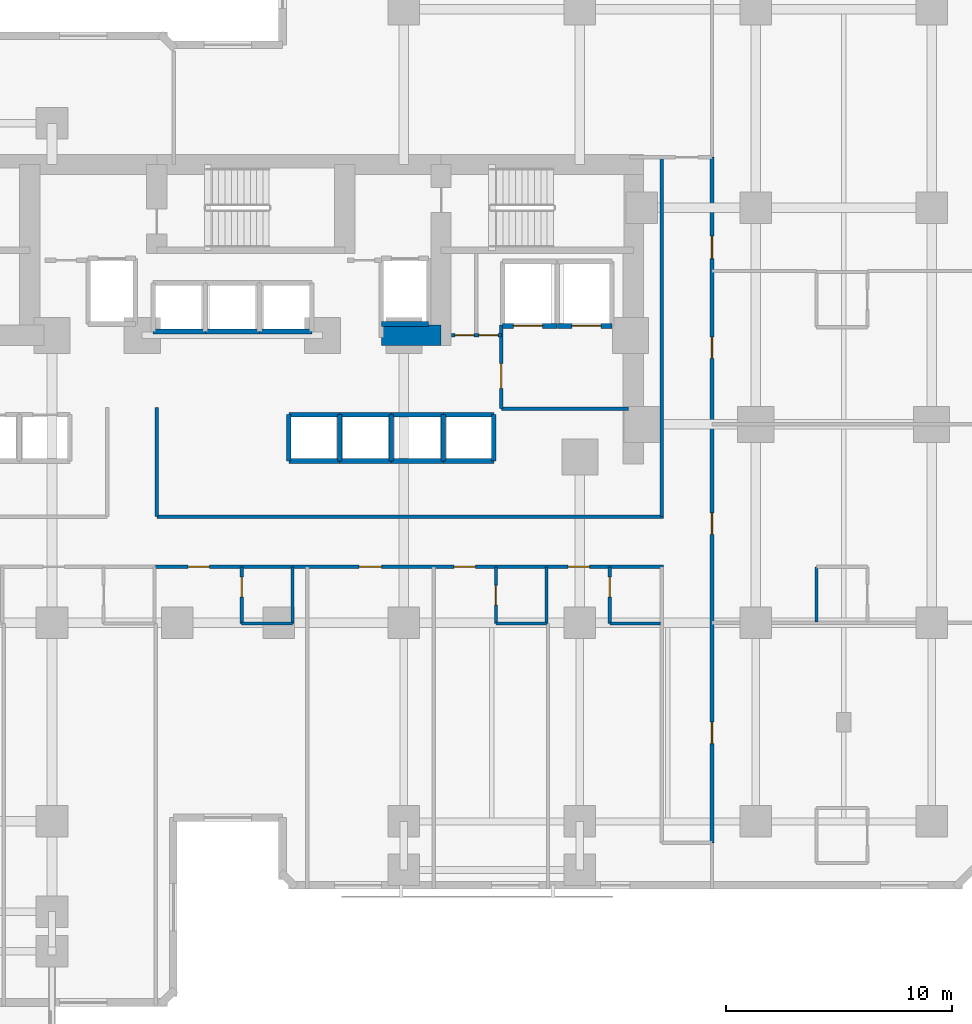
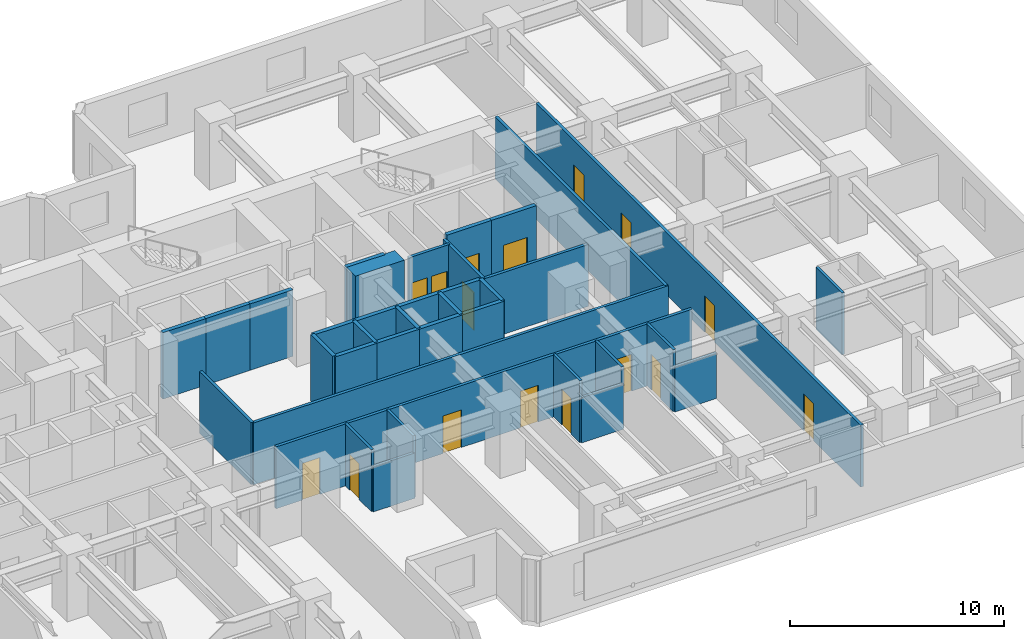
# One storey, part 7 of 12: 37 walls, 16 doors, 16 openings.
"""IFC4 building model written with IfcOpenShell, lengths in metres."""

from ifc_helpers import new_model, si_unit, direction, frame, frame_2d, origin, place, context, subcontext, project, spatial, rectangle, extrude, material, layer, layer_set, type_object, element, fill, save


model = new_model("IFC4")

# Units and contexts
model_context = context("Model", 3, precision=1e-05, world=origin(), true_north=direction((0.0, 1.0)))
body_context = subcontext(model_context, "Body", "Model", "MODEL_VIEW")
ifc_project = project(units=[si_unit("LENGTHUNIT", "METRE"), si_unit("AREAUNIT", "SQUARE_METRE"), si_unit("VOLUMEUNIT", "CUBIC_METRE"), si_unit("PLANEANGLEUNIT", "RADIAN"), si_unit("MASSUNIT", "GRAM", prefix="KILO")], contexts=[model_context])

# Site, building, storey
site_placement = place(None, origin())
site = spatial("IfcSite", under=ifc_project, at=site_placement, CompositionType="ELEMENT")
building_placement = place(site_placement, origin())
building = spatial("IfcBuilding", under=site, at=building_placement, Name="Kestravale Grand Hotel", CompositionType="ELEMENT")
storey_placement = place(building_placement, frame((0.0, 0.0, 41.199951171875)))
storey = spatial("IfcBuildingStorey", under=building, at=storey_placement, Name="L09", CompositionType="ELEMENT", Elevation=41.199951171875)

# Wall
ifc_material_1 = material(Name="Concrete f'c 70 MPa", Category="concrete")
ifc_layer_1 = layer(ifc_material_1, 0.89990234375)
ifc_layer_set_1 = layer_set([ifc_layer_1], Name="EW-CORE-900")
wall_type_1 = type_object("IfcWallType", Name="EW-CORE-900", PredefinedType="SHEAR", material=ifc_layer_set_1)
wall_1_placement = place(storey_placement, frame((45.81005859375, 32.75, 0.0), z_axis=(0.0, 0.0, 1.0), x_axis=(1.0, 0.0, 0.0)))
element("IfcWall", 1, at=wall_1_placement, inside=storey, type_object=wall_type_1, Name="L09 core shear wall S2", PredefinedType="SHEAR", context=body_context, shape_type="SweptSolid", body=[
    extrude(rectangle(XDim=2.639892578125, YDim=0.89990234375, at=frame_2d((1.31982421875, 0.0))), origin(), (0.0, 0.0, 1.0), 3.800048828125),
])

# Wall, opening, door
ifc_material_2 = material(Name="Acoustic fire-rated gypsum board partition", Category="other")
ifc_layer_2 = layer(ifc_material_2, 0.159912109375)
ifc_layer_set_2 = layer_set([ifc_layer_2], Name="IW-CORR-160")
wall_type_2 = type_object("IfcWallType", Name="IW-CORR-160", PredefinedType="PARTITIONING", material=ifc_layer_set_2)
wall_2_placement = place(storey_placement, frame((51.1201171875, 29.5, 0.0), z_axis=(0.0, 0.0, 1.0), x_axis=(0.0, 1.0, 0.0)))
wall_2 = element("IfcWall", 2, at=wall_2_placement, inside=storey, type_object=wall_type_2, Name="W-L09-SVCLOB-W", PredefinedType="PARTITIONING", context=body_context, shape_type="SweptSolid", body=[
    extrude(rectangle(XDim=3.699951171875, YDim=0.159912109375, at=frame_2d((1.85009765625, 0.0))), origin(), (0.0, 0.0, 1.0), 3.5400390625),
])
opening_1_placement = place(wall_2_placement, frame((0.89990234375, 0.0, 0.0)))
opening_1 = element("IfcOpeningElement", 3, at=opening_1_placement, cuts=wall_2, Name="Opening D-CORR-1100", PredefinedType="OPENING", context=body_context, shape_type="SweptSolid", body=[
    extrude(rectangle(XDim=1.10009765625, YDim=2.14990234375, at=frame_2d((0.550048828125, 1.074951171875))), frame((0.0, 0.08984375, 0.0), z_axis=(0.0, -1.0, 0.0), x_axis=(1.0, 0.0, 0.0)), (0.0, 0.0, 1.0), 0.179931640625),
])
ifc_material_3 = material(Name="Single-leaf service vestibule fire door", Category="steel")
door_type_1 = type_object("IfcDoorType", Name="D-CORR-1100", OperationType="NOTDEFINED", PredefinedType="DOOR", material=ifc_material_3)
door_1_placement = place(opening_1_placement, origin())
door_1 = element("IfcDoor", 4, at=door_1_placement, inside=storey, type_object=door_type_1, Name="L09 service lift lobby door", OperationType="SINGLE_SWING_LEFT", OverallHeight=2.14990234375, OverallWidth=1.10009765625, PredefinedType="DOOR", context=body_context, shape_type="SweptSolid", body=[
    extrude(rectangle(XDim=1.10009765625, YDim=2.14990234375, at=frame_2d((0.550048828125, 1.074951171875))), frame((0.0, 0.02490234375, 0.0), z_axis=(0.0, -1.0, 0.0), x_axis=(1.0, 0.0, 0.0)), (0.0, 0.0, 1.0), 0.050048828125),
])
fill(opening_1, door_1)

# Wall
wall_3_placement = place(storey_placement, frame((51.1201171875, 29.5, 0.0), z_axis=(0.0, 0.0, 1.0), x_axis=(1.0, 0.0, 0.0)))
element("IfcWall", 5, at=wall_3_placement, inside=storey, type_object=wall_type_2, Name="L09 service lift lobby wall", PredefinedType="PARTITIONING", context=body_context, shape_type="SweptSolid", body=[
    extrude(rectangle(XDim=5.6298828125, YDim=0.159912109375, at=frame_2d((2.81494140625, 0.0))), origin(), (0.0, 0.0, 1.0), 3.5400390625),
])

# Wall, openings, doors
wall_4_placement = place(storey_placement, frame((48.919921875, 32.75, 0.0), z_axis=(0.0, 0.0, 1.0), x_axis=(1.0, 0.0, 0.0)))
wall_4 = element("IfcWall", 6, at=wall_4_placement, inside=storey, type_object=wall_type_2, Name="W-L09-CES", PredefinedType="PARTITIONING", context=body_context, shape_type="SweptSolid", body=[
    extrude(rectangle(XDim=2.2001953125, YDim=0.159912109375, at=frame_2d((1.10009765625, 0.0))), origin(), (0.0, 0.0, 1.0), 3.5400390625),
])
opening_2_placement = place(wall_4_placement, frame((0.139892578125, 0.0, 0.0)))
opening_2 = element("IfcOpeningElement", 7, at=opening_2_placement, cuts=wall_4, Name="Opening D-SH-860", PredefinedType="OPENING", context=body_context, shape_type="SweptSolid", body=[
    extrude(rectangle(XDim=0.860107421875, YDim=2.050048828125, at=frame_2d((0.43017578125, 1.02490234375))), frame((0.0, 0.08984375, 0.0), z_axis=(0.0, -1.0, 0.0), x_axis=(1.0, 0.0, 0.0)), (0.0, 0.0, 1.0), 0.179931640625),
])
opening_3_placement = place(wall_4_placement, frame((1.199951171875, 0.0, 0.0)))
opening_3 = element("IfcOpeningElement", 8, at=opening_3_placement, cuts=wall_4, Name="Opening D-SH-860", PredefinedType="OPENING", context=body_context, shape_type="SweptSolid", body=[
    extrude(rectangle(XDim=0.860107421875, YDim=2.050048828125, at=frame_2d((0.43017578125, 1.02490234375))), frame((0.0, 0.08984375, 0.0), z_axis=(0.0, -1.0, 0.0), x_axis=(1.0, 0.0, 0.0)), (0.0, 0.0, 1.0), 0.179931640625),
])
ifc_material_4 = material(Name="Galvanised 90-minute riser fire door", Category="steel")
door_type_2 = type_object("IfcDoorType", Name="D-SH-860", OperationType="NOTDEFINED", PredefinedType="DOOR", material=ifc_material_4)
door_2_placement = place(opening_2_placement, origin())
door_2 = element("IfcDoor", 9, at=door_2_placement, inside=storey, type_object=door_type_2, Name="L09 CSTO1 door", OperationType="SINGLE_SWING_LEFT", OverallHeight=2.050048828125, OverallWidth=0.860107421875, PredefinedType="DOOR", context=body_context, shape_type="SweptSolid", body=[
    extrude(rectangle(XDim=0.860107421875, YDim=2.050048828125, at=frame_2d((0.43017578125, 1.02490234375))), frame((0.0, 0.02490234375, 0.0), z_axis=(0.0, -1.0, 0.0), x_axis=(1.0, 0.0, 0.0)), (0.0, 0.0, 1.0), 0.050048828125),
])
fill(opening_2, door_2)
door_3_placement = place(opening_3_placement, origin())
door_3 = element("IfcDoor", 10, at=door_3_placement, inside=storey, type_object=door_type_2, Name="L09 CSTO2 door", OperationType="SINGLE_SWING_RIGHT", OverallHeight=2.050048828125, OverallWidth=0.860107421875, PredefinedType="DOOR", context=body_context, shape_type="SweptSolid", body=[
    extrude(rectangle(XDim=0.860107421875, YDim=2.050048828125, at=frame_2d((0.43017578125, 1.02490234375))), frame((0.0, 0.02490234375, 0.0), z_axis=(0.0, -1.0, 0.0), x_axis=(1.0, 0.0, 0.0)), (0.0, 0.0, 1.0), 0.050048828125),
])
fill(opening_3, door_3)

# Walls
wall_5_placement = place(storey_placement, frame((35.85009765625, 24.7099609375, 0.0), z_axis=(0.0, 0.0, 1.0), x_axis=(1.0, 0.0, 0.0)))
element("IfcWall", 11, at=wall_5_placement, inside=storey, type_object=wall_type_2, Name="W-L09-CE-N", PredefinedType="PARTITIONING", context=body_context, shape_type="SweptSolid", body=[
    extrude(rectangle(XDim=22.449951171875, YDim=0.159912109375, at=frame_2d((11.22509765625, 0.0))), origin(), (0.0, 0.0, 1.0), 3.5400390625),
])
wall_6_placement = place(storey_placement, frame((35.85009765625, 24.7099609375, 0.0), z_axis=(0.0, 0.0, 1.0), x_axis=(0.0, 1.0, 0.0)))
element("IfcWall", 12, at=wall_6_placement, inside=storey, type_object=wall_type_2, Name="W-L09-TRUNK-E", PredefinedType="PARTITIONING", context=body_context, shape_type="SweptSolid", body=[
    extrude(rectangle(XDim=4.840087890625, YDim=0.159912109375, at=frame_2d((2.419921875, 0.0))), origin(), (0.0, 0.0, 1.0), 3.5400390625),
])

# Wall, openings, doors
wall_7_placement = place(storey_placement, frame((35.800048828125, 22.489990234375, 0.0), z_axis=(0.0, 0.0, 1.0), x_axis=(1.0, 0.0, 0.0)))
wall_7 = element("IfcWall", 13, at=wall_7_placement, inside=storey, type_object=wall_type_2, Name="W-L09-CE-S", PredefinedType="PARTITIONING", context=body_context, shape_type="SweptSolid", body=[
    extrude(rectangle(XDim=22.5, YDim=0.159912109375, at=frame_2d((11.25, 0.0))), origin(), (0.0, 0.0, 1.0), 3.5400390625),
])
opening_4_placement = place(wall_7_placement, frame((1.429931640625, 0.0, 0.0)))
opening_4 = element("IfcOpeningElement", 14, at=opening_4_placement, cuts=wall_7, Name="Opening D-GUEST-950", PredefinedType="OPENING", context=body_context, shape_type="SweptSolid", body=[
    extrude(rectangle(XDim=0.949951171875, YDim=2.10009765625, at=frame_2d((0.47509765625, 1.050048828125))), frame((0.0, 0.08984375, 0.0), z_axis=(0.0, -1.0, 0.0), x_axis=(1.0, 0.0, 0.0)), (0.0, 0.0, 1.0), 0.179931640625),
])
opening_5_placement = place(wall_7_placement, frame((9.014892578125, 0.0, 0.0)))
opening_5 = element("IfcOpeningElement", 15, at=opening_5_placement, cuts=wall_7, Name="Opening D-GUEST-1000", PredefinedType="OPENING", context=body_context, shape_type="SweptSolid", body=[
    extrude(rectangle(XDim=1.0, YDim=2.14990234375, at=frame_2d((0.5, 1.074951171875))), frame((0.0, 0.08984375, 0.0), z_axis=(0.0, -1.0, 0.0), x_axis=(1.0, 0.0, 0.0)), (0.0, 0.0, 1.0), 0.179931640625),
])
opening_6_placement = place(wall_7_placement, frame((13.22509765625, 0.0, 0.0)))
opening_6 = element("IfcOpeningElement", 16, at=opening_6_placement, cuts=wall_7, Name="Opening D-GUEST-950", PredefinedType="OPENING", context=body_context, shape_type="SweptSolid", body=[
    extrude(rectangle(XDim=0.949951171875, YDim=2.10009765625, at=frame_2d((0.47509765625, 1.050048828125))), frame((0.0, 0.08984375, 0.0), z_axis=(0.0, -1.0, 0.0), x_axis=(1.0, 0.0, 0.0)), (0.0, 0.0, 1.0), 0.179931640625),
])
opening_7_placement = place(wall_7_placement, frame((18.284912109375, 0.0, 0.0)))
opening_7 = element("IfcOpeningElement", 17, at=opening_7_placement, cuts=wall_7, Name="Opening D-GUEST-950", PredefinedType="OPENING", context=body_context, shape_type="SweptSolid", body=[
    extrude(rectangle(XDim=0.949951171875, YDim=2.10009765625, at=frame_2d((0.47509765625, 1.050048828125))), frame((0.0, 0.08984375, 0.0), z_axis=(0.0, -1.0, 0.0), x_axis=(1.0, 0.0, 0.0)), (0.0, 0.0, 1.0), 0.179931640625),
])
ifc_material_5 = material(Name="Accessible walnut veneer hotel entrance fire door", Category="wood")
door_type_3 = type_object("IfcDoorType", Name="D-GUEST-1000", OperationType="NOTDEFINED", PredefinedType="DOOR", material=ifc_material_5)
door_4_placement = place(opening_5_placement, origin())
door_4 = element("IfcDoor", 18, at=door_4_placement, inside=storey, type_object=door_type_3, Name="D-L09-AME", OperationType="SINGLE_SWING_RIGHT", OverallHeight=2.14990234375, OverallWidth=1.0, PredefinedType="DOOR", context=body_context, shape_type="SweptSolid", body=[
    extrude(rectangle(XDim=1.0, YDim=2.14990234375, at=frame_2d((0.5, 1.074951171875))), frame((0.0, 0.02490234375, 0.0), z_axis=(0.0, -1.0, 0.0), x_axis=(1.0, 0.0, 0.0)), (0.0, 0.0, 1.0), 0.050048828125),
])
fill(opening_5, door_4)
ifc_material_6 = material(Name="Walnut veneer hotel guestroom entrance fire door", Category="wood")
door_type_4 = type_object("IfcDoorType", Name="D-GUEST-950", OperationType="NOTDEFINED", PredefinedType="DOOR", material=ifc_material_6)
door_5_placement = place(opening_4_placement, origin())
door_5 = element("IfcDoor", 19, at=door_5_placement, inside=storey, type_object=door_type_4, Name="D-L09-U03-ENT", OperationType="SINGLE_SWING_LEFT", OverallHeight=2.10009765625, OverallWidth=0.949951171875, PredefinedType="DOOR", context=body_context, shape_type="SweptSolid", body=[
    extrude(rectangle(XDim=0.949951171875, YDim=2.10009765625, at=frame_2d((0.47509765625, 1.050048828125))), frame((0.0, 0.02490234375, 0.0), z_axis=(0.0, -1.0, 0.0), x_axis=(1.0, 0.0, 0.0)), (0.0, 0.0, 1.0), 0.050048828125),
])
fill(opening_4, door_5)
door_6_placement = place(opening_6_placement, origin())
door_6 = element("IfcDoor", 20, at=door_6_placement, inside=storey, type_object=door_type_4, Name="D-L09-U04-ENT", OperationType="SINGLE_SWING_RIGHT", OverallHeight=2.10009765625, OverallWidth=0.949951171875, PredefinedType="DOOR", context=body_context, shape_type="SweptSolid", body=[
    extrude(rectangle(XDim=0.949951171875, YDim=2.10009765625, at=frame_2d((0.47509765625, 1.050048828125))), frame((0.0, 0.02490234375, 0.0), z_axis=(0.0, -1.0, 0.0), x_axis=(1.0, 0.0, 0.0)), (0.0, 0.0, 1.0), 0.050048828125),
])
fill(opening_6, door_6)
door_7_placement = place(opening_7_placement, origin())
door_7 = element("IfcDoor", 21, at=door_7_placement, inside=storey, type_object=door_type_4, Name="D-L09-U05-ENT", OperationType="SINGLE_SWING_RIGHT", OverallHeight=2.10009765625, OverallWidth=0.949951171875, PredefinedType="DOOR", context=body_context, shape_type="SweptSolid", body=[
    extrude(rectangle(XDim=0.949951171875, YDim=2.10009765625, at=frame_2d((0.47509765625, 1.050048828125))), frame((0.0, 0.02490234375, 0.0), z_axis=(0.0, -1.0, 0.0), x_axis=(1.0, 0.0, 0.0)), (0.0, 0.0, 1.0), 0.050048828125),
])
fill(opening_7, door_7)

wall_8_placement = place(storey_placement, frame((60.4599609375, 10.25, 0.0), z_axis=(0.0, 0.0, 1.0), x_axis=(0.0, 1.0, 0.0)))
wall_8 = element("IfcWall", 22, at=wall_8_placement, inside=storey, type_object=wall_type_2, Name="W-L09-SE-E", PredefinedType="PARTITIONING", context=body_context, shape_type="SweptSolid", body=[
    extrude(rectangle(XDim=30.39990234375, YDim=0.159912109375, at=frame_2d((15.199951171875, 0.0))), origin(), (0.0, 0.0, 1.0), 3.5400390625),
])
opening_8_placement = place(wall_8_placement, frame((4.39990234375, 0.0, 0.0)))
opening_8 = element("IfcOpeningElement", 23, at=opening_8_placement, cuts=wall_8, Name="Opening D-GUEST-950", PredefinedType="OPENING", context=body_context, shape_type="SweptSolid", body=[
    extrude(rectangle(XDim=0.949951171875, YDim=2.10009765625, at=frame_2d((0.47509765625, 1.050048828125))), frame((0.0, 0.08984375, 0.0), z_axis=(0.0, -1.0, 0.0), x_axis=(1.0, 0.0, 0.0)), (0.0, 0.0, 1.0), 0.179931640625),
])
opening_9_placement = place(wall_8_placement, frame((13.675048828125, 0.0, 0.0)))
opening_9 = element("IfcOpeningElement", 24, at=opening_9_placement, cuts=wall_8, Name="Opening D-GUEST-950", PredefinedType="OPENING", context=body_context, shape_type="SweptSolid", body=[
    extrude(rectangle(XDim=0.949951171875, YDim=2.10009765625, at=frame_2d((0.47509765625, 1.050048828125))), frame((0.0, 0.08984375, 0.0), z_axis=(0.0, -1.0, 0.0), x_axis=(1.0, 0.0, 0.0)), (0.0, 0.0, 1.0), 0.179931640625),
])
opening_10_placement = place(wall_8_placement, frame((21.47509765625, 0.0, 0.0)))
opening_10 = element("IfcOpeningElement", 25, at=opening_10_placement, cuts=wall_8, Name="Opening D-GUEST-950", PredefinedType="OPENING", context=body_context, shape_type="SweptSolid", body=[
    extrude(rectangle(XDim=0.949951171875, YDim=2.10009765625, at=frame_2d((0.47509765625, 1.050048828125))), frame((0.0, 0.08984375, 0.0), z_axis=(0.0, -1.0, 0.0), x_axis=(1.0, 0.0, 0.0)), (0.0, 0.0, 1.0), 0.179931640625),
])
opening_11_placement = place(wall_8_placement, frame((25.89990234375, 0.0, 0.0)))
opening_11 = element("IfcOpeningElement", 26, at=opening_11_placement, cuts=wall_8, Name="Opening D-GUEST-1000", PredefinedType="OPENING", context=body_context, shape_type="SweptSolid", body=[
    extrude(rectangle(XDim=1.0, YDim=2.14990234375, at=frame_2d((0.5, 1.074951171875))), frame((0.0, 0.08984375, 0.0), z_axis=(0.0, -1.0, 0.0), x_axis=(1.0, 0.0, 0.0)), (0.0, 0.0, 1.0), 0.179931640625),
])
door_8_placement = place(opening_11_placement, origin())
door_8 = element("IfcDoor", 27, at=door_8_placement, inside=storey, type_object=door_type_3, Name="D-L09-AMEW", OperationType="SINGLE_SWING_RIGHT", OverallHeight=2.14990234375, OverallWidth=1.0, PredefinedType="DOOR", context=body_context, shape_type="SweptSolid", body=[
    extrude(rectangle(XDim=1.0, YDim=2.14990234375, at=frame_2d((0.5, 1.074951171875))), frame((0.0, 0.02490234375, 0.0), z_axis=(0.0, -1.0, 0.0), x_axis=(1.0, 0.0, 0.0)), (0.0, 0.0, 1.0), 0.050048828125),
])
fill(opening_11, door_8)
door_9_placement = place(opening_8_placement, origin())
door_9 = element("IfcDoor", 28, at=door_9_placement, inside=storey, type_object=door_type_4, Name="D-L09-U10-ENT", OperationType="SINGLE_SWING_LEFT", OverallHeight=2.10009765625, OverallWidth=0.949951171875, PredefinedType="DOOR", context=body_context, shape_type="SweptSolid", body=[
    extrude(rectangle(XDim=0.949951171875, YDim=2.10009765625, at=frame_2d((0.47509765625, 1.050048828125))), frame((0.0, 0.02490234375, 0.0), z_axis=(0.0, -1.0, 0.0), x_axis=(1.0, 0.0, 0.0)), (0.0, 0.0, 1.0), 0.050048828125),
])
fill(opening_8, door_9)
door_10_placement = place(opening_9_placement, origin())
door_10 = element("IfcDoor", 29, at=door_10_placement, inside=storey, type_object=door_type_4, Name="D-L09-U11-ENT", OperationType="SINGLE_SWING_LEFT", OverallHeight=2.10009765625, OverallWidth=0.949951171875, PredefinedType="DOOR", context=body_context, shape_type="SweptSolid", body=[
    extrude(rectangle(XDim=0.949951171875, YDim=2.10009765625, at=frame_2d((0.47509765625, 1.050048828125))), frame((0.0, 0.02490234375, 0.0), z_axis=(0.0, -1.0, 0.0), x_axis=(1.0, 0.0, 0.0)), (0.0, 0.0, 1.0), 0.050048828125),
])
fill(opening_9, door_10)
door_11_placement = place(opening_10_placement, origin())
door_11 = element("IfcDoor", 30, at=door_11_placement, inside=storey, type_object=door_type_4, Name="D-L09-U12-ENT", OperationType="SINGLE_SWING_LEFT", OverallHeight=2.10009765625, OverallWidth=0.949951171875, PredefinedType="DOOR", context=body_context, shape_type="SweptSolid", body=[
    extrude(rectangle(XDim=0.949951171875, YDim=2.10009765625, at=frame_2d((0.47509765625, 1.050048828125))), frame((0.0, 0.02490234375, 0.0), z_axis=(0.0, -1.0, 0.0), x_axis=(1.0, 0.0, 0.0)), (0.0, 0.0, 1.0), 0.050048828125),
])
fill(opening_10, door_11)

# Wall
wall_9_placement = place(storey_placement, frame((58.239990234375, 24.7099609375, 0.0), z_axis=(0.0, 0.0, 1.0), x_axis=(0.0, 1.0, 0.0)))
element("IfcWall", 31, at=wall_9_placement, inside=storey, type_object=wall_type_2, Name="W-L09-SE-WU", PredefinedType="PARTITIONING", context=body_context, shape_type="SweptSolid", body=[
    extrude(rectangle(XDim=15.93994140625, YDim=0.159912109375, at=frame_2d((7.969970703125, 0.0))), origin(), (0.0, 0.0, 1.0), 3.5400390625),
])

# Wall, opening, door
ifc_material_7 = material(Name="Moisture-resistant tile-backer plumbing chase wall", Category="other")
ifc_layer_3 = layer(ifc_material_7, 0.139892578125)
ifc_layer_set_3 = layer_set([ifc_layer_3], Name="IW-PLB-140")
wall_type_3 = type_object("IfcWallType", Name="IW-PLB-140", PredefinedType="PLUMBINGWALL", material=ifc_layer_set_3)
wall_10_placement = place(storey_placement, frame((39.610107421875, 19.97998046875, 0.0), z_axis=(0.0, 0.0, 1.0), x_axis=(0.0, 1.0, 0.0)))
wall_10 = element("IfcWall", 32, at=wall_10_placement, inside=storey, type_object=wall_type_3, Name="W-L09-U03-BW", PredefinedType="PLUMBINGWALL", context=body_context, shape_type="SweptSolid", body=[
    extrude(rectangle(XDim=2.489990234375, YDim=0.139892578125, at=frame_2d((1.2451171875, 0.0))), origin(), (0.0, 0.0, 1.0), 3.5400390625),
])
opening_12_placement = place(wall_10_placement, frame((1.169921875, 0.0, 0.0)))
opening_12 = element("IfcOpeningElement", 33, at=opening_12_placement, cuts=wall_10, Name="Opening D-BATH-880", PredefinedType="OPENING", context=body_context, shape_type="SweptSolid", body=[
    extrude(rectangle(XDim=0.8798828125, YDim=2.050048828125, at=frame_2d((0.43994140625, 1.02490234375))), frame((0.0, 0.079833984375, 0.0), z_axis=(0.0, -1.0, 0.0), x_axis=(1.0, 0.0, 0.0)), (0.0, 0.0, 1.0), 0.159912109375),
])
ifc_material_8 = material(Name="Moisture-sealed walnut en-suite bathroom door", Category="wood")
door_type_5 = type_object("IfcDoorType", Name="D-BATH-880", OperationType="NOTDEFINED", PredefinedType="DOOR", material=ifc_material_8)
door_12_placement = place(opening_12_placement, origin())
door_12 = element("IfcDoor", 34, at=door_12_placement, inside=storey, type_object=door_type_5, Name="D-L09-U03-BATH", OperationType="SINGLE_SWING_RIGHT", OverallHeight=2.050048828125, OverallWidth=0.8798828125, PredefinedType="DOOR", context=body_context, shape_type="SweptSolid", body=[
    extrude(rectangle(XDim=0.8798828125, YDim=2.050048828125, at=frame_2d((0.43994140625, 1.02490234375))), frame((0.0, 0.02490234375, 0.0), z_axis=(0.0, -1.0, 0.0), x_axis=(1.0, 0.0, 0.0)), (0.0, 0.0, 1.0), 0.050048828125),
])
fill(opening_12, door_12)

# Walls
wall_11_placement = place(storey_placement, frame((41.860107421875, 19.97998046875, 0.0), z_axis=(0.0, 0.0, 1.0), x_axis=(0.0, 1.0, 0.0)))
element("IfcWall", 35, at=wall_11_placement, inside=storey, type_object=wall_type_3, Name="W-L09-U03-BE", PredefinedType="PLUMBINGWALL", context=body_context, shape_type="SweptSolid", body=[
    extrude(rectangle(XDim=2.489990234375, YDim=0.139892578125, at=frame_2d((1.2451171875, 0.0))), origin(), (0.0, 0.0, 1.0), 3.5400390625),
])
wall_12_placement = place(storey_placement, frame((39.610107421875, 19.97998046875, 0.0), z_axis=(0.0, 0.0, 1.0), x_axis=(1.0, 0.0, 0.0)))
element("IfcWall", 36, at=wall_12_placement, inside=storey, type_object=wall_type_3, Name="W-L09-U03-BS", PredefinedType="PLUMBINGWALL", context=body_context, shape_type="SweptSolid", body=[
    extrude(rectangle(XDim=2.25, YDim=0.139892578125, at=frame_2d((1.125, 0.0))), origin(), (0.0, 0.0, 1.0), 2.593017578125),
])

# Wall, opening, door
wall_13_placement = place(storey_placement, frame((50.8798828125, 19.97998046875, 0.0), z_axis=(0.0, 0.0, 1.0), x_axis=(0.0, 1.0, 0.0)))
wall_13 = element("IfcWall", 37, at=wall_13_placement, inside=storey, type_object=wall_type_3, Name="W-L09-U04-BW", PredefinedType="PLUMBINGWALL", context=body_context, shape_type="SweptSolid", body=[
    extrude(rectangle(XDim=2.489990234375, YDim=0.139892578125, at=frame_2d((1.2451171875, 0.0))), origin(), (0.0, 0.0, 1.0), 3.5400390625),
])
opening_13_placement = place(wall_13_placement, frame((0.804931640625, 0.0, 0.0)))
opening_13 = element("IfcOpeningElement", 38, at=opening_13_placement, cuts=wall_13, Name="Opening D-BATH-880", PredefinedType="OPENING", context=body_context, shape_type="SweptSolid", body=[
    extrude(rectangle(XDim=0.8798828125, YDim=2.050048828125, at=frame_2d((0.43994140625, 1.02490234375))), frame((0.0, 0.079833984375, 0.0), z_axis=(0.0, -1.0, 0.0), x_axis=(1.0, 0.0, 0.0)), (0.0, 0.0, 1.0), 0.159912109375),
])
door_13_placement = place(opening_13_placement, origin())
door_13 = element("IfcDoor", 39, at=door_13_placement, inside=storey, type_object=door_type_5, Name="D-L09-U04-BATH", OperationType="SINGLE_SWING_LEFT", OverallHeight=2.050048828125, OverallWidth=0.8798828125, PredefinedType="DOOR", context=body_context, shape_type="SweptSolid", body=[
    extrude(rectangle(XDim=0.8798828125, YDim=2.050048828125, at=frame_2d((0.43994140625, 1.02490234375))), frame((0.0, 0.02490234375, 0.0), z_axis=(0.0, -1.0, 0.0), x_axis=(1.0, 0.0, 0.0)), (0.0, 0.0, 1.0), 0.050048828125),
])
fill(opening_13, door_13)

# Walls
wall_14_placement = place(storey_placement, frame((53.1298828125, 19.97998046875, 0.0), z_axis=(0.0, 0.0, 1.0), x_axis=(0.0, 1.0, 0.0)))
element("IfcWall", 40, at=wall_14_placement, inside=storey, type_object=wall_type_3, Name="W-L09-U04-BE", PredefinedType="PLUMBINGWALL", context=body_context, shape_type="SweptSolid", body=[
    extrude(rectangle(XDim=2.489990234375, YDim=0.139892578125, at=frame_2d((1.2451171875, 0.0))), origin(), (0.0, 0.0, 1.0), 3.5400390625),
])
wall_15_placement = place(storey_placement, frame((50.8798828125, 19.97998046875, 0.0), z_axis=(0.0, 0.0, 1.0), x_axis=(1.0, 0.0, 0.0)))
element("IfcWall", 41, at=wall_15_placement, inside=storey, type_object=wall_type_3, Name="W-L09-U04-BS", PredefinedType="PLUMBINGWALL", context=body_context, shape_type="SweptSolid", body=[
    extrude(rectangle(XDim=2.25, YDim=0.139892578125, at=frame_2d((1.125, 0.0))), origin(), (0.0, 0.0, 1.0), 2.593017578125),
])

# Wall, opening, door
wall_16_placement = place(storey_placement, frame((55.929931640625, 19.97998046875, 0.0), z_axis=(0.0, 0.0, 1.0), x_axis=(0.0, 1.0, 0.0)))
wall_16 = element("IfcWall", 42, at=wall_16_placement, inside=storey, type_object=wall_type_3, Name="W-L09-U05-BW", PredefinedType="PLUMBINGWALL", context=body_context, shape_type="SweptSolid", body=[
    extrude(rectangle(XDim=2.489990234375, YDim=0.139892578125, at=frame_2d((1.2451171875, 0.0))), origin(), (0.0, 0.0, 1.0), 3.5400390625),
])
opening_14_placement = place(wall_16_placement, frame((1.169921875, 0.0, 0.0)))
opening_14 = element("IfcOpeningElement", 43, at=opening_14_placement, cuts=wall_16, Name="Opening D-BATH-880", PredefinedType="OPENING", context=body_context, shape_type="SweptSolid", body=[
    extrude(rectangle(XDim=0.8798828125, YDim=2.050048828125, at=frame_2d((0.43994140625, 1.02490234375))), frame((0.0, 0.079833984375, 0.0), z_axis=(0.0, -1.0, 0.0), x_axis=(1.0, 0.0, 0.0)), (0.0, 0.0, 1.0), 0.159912109375),
])
door_14_placement = place(opening_14_placement, origin())
door_14 = element("IfcDoor", 44, at=door_14_placement, inside=storey, type_object=door_type_5, Name="D-L09-U05-BATH", OperationType="SINGLE_SWING_LEFT", OverallHeight=2.050048828125, OverallWidth=0.8798828125, PredefinedType="DOOR", context=body_context, shape_type="SweptSolid", body=[
    extrude(rectangle(XDim=0.8798828125, YDim=2.050048828125, at=frame_2d((0.43994140625, 1.02490234375))), frame((0.0, 0.02490234375, 0.0), z_axis=(0.0, -1.0, 0.0), x_axis=(1.0, 0.0, 0.0)), (0.0, 0.0, 1.0), 0.050048828125),
])
fill(opening_14, door_14)

# Walls
wall_17_placement = place(storey_placement, frame((55.929931640625, 19.97998046875, 0.0), z_axis=(0.0, 0.0, 1.0), x_axis=(1.0, 0.0, 0.0)))
element("IfcWall", 45, at=wall_17_placement, inside=storey, type_object=wall_type_3, Name="W-L09-U05-BS", PredefinedType="PLUMBINGWALL", context=body_context, shape_type="SweptSolid", body=[
    extrude(rectangle(XDim=2.25, YDim=0.139892578125, at=frame_2d((1.125, 0.0))), origin(), (0.0, 0.0, 1.0), 2.593017578125),
])
wall_18_placement = place(storey_placement, frame((65.10009765625, 20.0400390625, 0.0), z_axis=(0.0, 0.0, 1.0), x_axis=(0.0, 1.0, 0.0)))
element("IfcWall", 46, at=wall_18_placement, inside=storey, type_object=wall_type_3, Name="W-L09-U11-BW", PredefinedType="PLUMBINGWALL", context=body_context, shape_type="SweptSolid", body=[
    extrude(rectangle(XDim=2.449951171875, YDim=0.139892578125, at=frame_2d((1.22509765625, 0.0))), origin(), (0.0, 0.0, 1.0), 3.5400390625),
])
ifc_material_9 = material(Name="Concrete f'c 45 MPa", Category="concrete")
ifc_layer_4 = layer(ifc_material_9, 0.199951171875)
ifc_layer_set_4 = layer_set([ifc_layer_4], Name="IW-SHAFT-200")
wall_type_4 = type_object("IfcWallType", Name="IW-SHAFT-200", PredefinedType="SHEAR", material=ifc_layer_set_4)
for number, where, z_axis, x_axis, name in (
    (47, (41.705078125, 27.169921875, 0.0), (0.0, 0.0, 1.0), (0.0, 1.0, 0.0), "L09 PL-M1 west shaft wall"),
    (48, (43.949951171875, 27.169921875, 0.0), (0.0, 0.0, 1.0), (0.0, 1.0, 0.0), "L09 PL-M2 west shaft wall"),
    (49, (46.25, 27.169921875, 0.0), (0.0, 0.0, 1.0), (0.0, 1.0, 0.0), "L09 PL-M3 west shaft wall"),
    (50, (48.550048828125, 27.169921875, 0.0), (0.0, 0.0, 1.0), (0.0, 1.0, 0.0), "L09 PL-M4 west shaft wall"),
    (51, (50.794921875, 27.169921875, 0.0), (0.0, 0.0, 1.0), (0.0, 1.0, 0.0), "L09 PL-M4 east shaft wall"),
):
    element("IfcWall", number, at=place(storey_placement, frame(where, z_axis=z_axis, x_axis=x_axis)), inside=storey, type_object=wall_type_4, Name=name, PredefinedType="SHEAR", context=body_context, shape_type="SweptSolid", body=[
        extrude(rectangle(XDim=2.06005859375, YDim=0.199951171875, at=frame_2d((1.030029296875, 0.0))), origin(), (0.0, 0.0, 1.0), 3.800048828125),
    ])
ifc_material_10 = material(Name="Concrete f'c 45 MPa", Category="concrete")
ifc_layer_5 = layer(ifc_material_10, 0.219970703125)
ifc_layer_set_5 = layer_set([ifc_layer_5], Name="IW-SHAFT-220")
wall_type_5 = type_object("IfcWallType", Name="IW-SHAFT-220", PredefinedType="SHEAR", material=ifc_layer_set_5)
for number, where, z_axis, x_axis, name in (
    (52, (41.705078125, 29.22998046875, 0.0), (0.0, 0.0, 1.0), (1.0, 0.0, 0.0), "L09 PL-M1 north shaft wall"),
    (53, (41.705078125, 27.169921875, 0.0), (0.0, 0.0, 1.0), (1.0, 0.0, 0.0), "L09 PL-M1 south shaft wall"),
):
    element("IfcWall", number, at=place(storey_placement, frame(where, z_axis=z_axis, x_axis=x_axis)), inside=storey, type_object=wall_type_5, Name=name, PredefinedType="SHEAR", context=body_context, shape_type="SweptSolid", body=[
        extrude(rectangle(XDim=2.244873046875, YDim=0.219970703125, at=frame_2d((1.12255859375, 0.0))), origin(), (0.0, 0.0, 1.0), 3.800048828125),
    ])
for number, where, z_axis, x_axis, name in (
    (54, (43.949951171875, 29.22998046875, 0.0), (0.0, 0.0, 1.0), (1.0, 0.0, 0.0), "L09 PL-M2 north shaft wall"),
    (55, (43.949951171875, 27.169921875, 0.0), (0.0, 0.0, 1.0), (1.0, 0.0, 0.0), "L09 PL-M2 south shaft wall"),
    (56, (46.25, 29.22998046875, 0.0), (0.0, 0.0, 1.0), (1.0, 0.0, 0.0), "L09 PL-M3 north shaft wall"),
    (57, (46.25, 27.169921875, 0.0), (0.0, 0.0, 1.0), (1.0, 0.0, 0.0), "L09 PL-M3 south shaft wall"),
):
    element("IfcWall", number, at=place(storey_placement, frame(where, z_axis=z_axis, x_axis=x_axis)), inside=storey, type_object=wall_type_5, Name=name, PredefinedType="SHEAR", context=body_context, shape_type="SweptSolid", body=[
        extrude(rectangle(XDim=2.300048828125, YDim=0.219970703125, at=frame_2d((1.14990234375, 0.0))), origin(), (0.0, 0.0, 1.0), 3.800048828125),
    ])
for number, where, z_axis, x_axis, name in (
    (58, (48.550048828125, 29.22998046875, 0.0), (0.0, 0.0, 1.0), (1.0, 0.0, 0.0), "L09 PL-M4 north shaft wall"),
    (59, (48.550048828125, 27.169921875, 0.0), (0.0, 0.0, 1.0), (1.0, 0.0, 0.0), "L09 PL-M4 south shaft wall"),
):
    element("IfcWall", number, at=place(storey_placement, frame(where, z_axis=z_axis, x_axis=x_axis)), inside=storey, type_object=wall_type_5, Name=name, PredefinedType="SHEAR", context=body_context, shape_type="SweptSolid", body=[
        extrude(rectangle(XDim=2.244873046875, YDim=0.219970703125, at=frame_2d((1.12255859375, 0.0))), origin(), (0.0, 0.0, 1.0), 3.800048828125),
    ])
wall_19_placement = place(storey_placement, frame((35.679931640625, 32.919921875, 0.0), z_axis=(0.0, 0.0, 1.0), x_axis=(1.0, 0.0, 0.0)))
element("IfcWall", 60, at=wall_19_placement, inside=storey, type_object=wall_type_5, Name="L09 PL-X1 south shaft wall", PredefinedType="SHEAR", context=body_context, shape_type="SweptSolid", body=[
    extrude(rectangle(XDim=2.320068359375, YDim=0.219970703125, at=frame_2d((1.16015625, 0.0))), origin(), (0.0, 0.0, 1.0), 3.800048828125),
])
wall_20_placement = place(storey_placement, frame((38.0, 32.919921875, 0.0), z_axis=(0.0, 0.0, 1.0), x_axis=(1.0, 0.0, 0.0)))
element("IfcWall", 61, at=wall_20_placement, inside=storey, type_object=wall_type_5, Name="L09 PL-X2 south shaft wall", PredefinedType="SHEAR", context=body_context, shape_type="SweptSolid", body=[
    extrude(rectangle(XDim=2.39990234375, YDim=0.219970703125, at=frame_2d((1.199951171875, 0.0))), origin(), (0.0, 0.0, 1.0), 3.800048828125),
])
wall_21_placement = place(storey_placement, frame((40.39990234375, 32.919921875, 0.0), z_axis=(0.0, 0.0, 1.0), x_axis=(1.0, 0.0, 0.0)))
element("IfcWall", 62, at=wall_21_placement, inside=storey, type_object=wall_type_5, Name="L09 PL-X3 south shaft wall", PredefinedType="SHEAR", context=body_context, shape_type="SweptSolid", body=[
    extrude(rectangle(XDim=2.320068359375, YDim=0.219970703125, at=frame_2d((1.16015625, 0.0))), origin(), (0.0, 0.0, 1.0), 3.800048828125),
])

# Wall, opening, door
wall_22_placement = place(storey_placement, frame((51.179931640625, 33.169921875, 0.0), z_axis=(0.0, 0.0, 1.0), x_axis=(1.0, 0.0, 0.0)))
wall_22 = element("IfcWall", 63, at=wall_22_placement, inside=storey, type_object=wall_type_5, Name="L09 SL-1 south shaft wall", PredefinedType="SHEAR", context=body_context, shape_type="SweptSolid", body=[
    extrude(rectangle(XDim=2.420166015625, YDim=0.219970703125, at=frame_2d((1.2099609375, 0.0))), origin(), (0.0, 0.0, 1.0), 3.800048828125),
])
opening_15_placement = place(wall_22_placement, frame((0.469970703125, 0.0, 0.0)))
opening_15 = element("IfcOpeningElement", 64, at=opening_15_placement, cuts=wall_22, Name="Opening LD-SVC-1300", PredefinedType="OPENING", context=body_context, shape_type="SweptSolid", body=[
    extrude(rectangle(XDim=1.300048828125, YDim=2.14990234375, at=frame_2d((0.64990234375, 1.074951171875))), frame((0.0, 0.119873046875, 0.0), z_axis=(0.0, -1.0, 0.0), x_axis=(1.0, 0.0, 0.0)), (0.0, 0.0, 1.0), 0.239990234375),
])
ifc_material_11 = material(Name="Heavy-duty service sliding elevator landing door", Category="steel")
door_type_6 = type_object("IfcDoorType", Name="LD-SVC-1300", OperationType="NOTDEFINED", PredefinedType="DOOR", material=ifc_material_11)
door_15_placement = place(opening_15_placement, origin())
door_15 = element("IfcDoor", 65, at=door_15_placement, inside=storey, type_object=door_type_6, Name="L09 SL-1 elevator landing sliding door", OperationType="DOUBLE_DOOR_SLIDING", OverallHeight=2.14990234375, OverallWidth=1.300048828125, PredefinedType="DOOR", context=body_context, shape_type="SweptSolid", body=[
    extrude(rectangle(XDim=1.300048828125, YDim=2.14990234375, at=frame_2d((0.64990234375, 1.074951171875))), frame((0.0, 0.02490234375, 0.0), z_axis=(0.0, -1.0, 0.0), x_axis=(1.0, 0.0, 0.0)), (0.0, 0.0, 1.0), 0.050048828125),
])
fill(opening_15, door_15)

wall_23_placement = place(storey_placement, frame((53.60009765625, 33.169921875, 0.0), z_axis=(0.0, 0.0, 1.0), x_axis=(1.0, 0.0, 0.0)))
wall_23 = element("IfcWall", 66, at=wall_23_placement, inside=storey, type_object=wall_type_5, Name="L09 SL-2 south shaft wall", PredefinedType="SHEAR", context=body_context, shape_type="SweptSolid", body=[
    extrude(rectangle(XDim=2.419921875, YDim=0.219970703125, at=frame_2d((1.2099609375, 0.0))), origin(), (0.0, 0.0, 1.0), 3.800048828125),
])
opening_16_placement = place(wall_23_placement, frame((0.64990234375, 0.0, 0.0)))
opening_16 = element("IfcOpeningElement", 67, at=opening_16_placement, cuts=wall_23, Name="Opening LD-SVC-1300", PredefinedType="OPENING", context=body_context, shape_type="SweptSolid", body=[
    extrude(rectangle(XDim=1.300048828125, YDim=2.14990234375, at=frame_2d((0.64990234375, 1.074951171875))), frame((0.0, 0.119873046875, 0.0), z_axis=(0.0, -1.0, 0.0), x_axis=(1.0, 0.0, 0.0)), (0.0, 0.0, 1.0), 0.239990234375),
])
door_16_placement = place(opening_16_placement, origin())
door_16 = element("IfcDoor", 68, at=door_16_placement, inside=storey, type_object=door_type_6, Name="L09 SL-2 elevator landing sliding door", OperationType="DOUBLE_DOOR_SLIDING", OverallHeight=2.14990234375, OverallWidth=1.300048828125, PredefinedType="DOOR", context=body_context, shape_type="SweptSolid", body=[
    extrude(rectangle(XDim=1.300048828125, YDim=2.14990234375, at=frame_2d((0.64990234375, 1.074951171875))), frame((0.0, 0.02490234375, 0.0), z_axis=(0.0, -1.0, 0.0), x_axis=(1.0, 0.0, 0.0)), (0.0, 0.0, 1.0), 0.050048828125),
])
fill(opening_16, door_16)

# Wall
wall_24_placement = place(storey_placement, frame((45.804931640625, 33.2451171875, 0.0), z_axis=(0.0, 0.0, 1.0), x_axis=(1.0, 0.0, 0.0)))
element("IfcWall", 69, at=wall_24_placement, inside=storey, type_object=wall_type_5, Name="L09 FL-2 south shaft wall", PredefinedType="SHEAR", context=body_context, shape_type="SweptSolid", body=[
    extrude(rectangle(XDim=2.090087890625, YDim=0.219970703125, at=frame_2d((1.044921875, 0.0))), origin(), (0.0, 0.0, 1.0), 3.800048828125),
])

save(model, "model.ifc")
